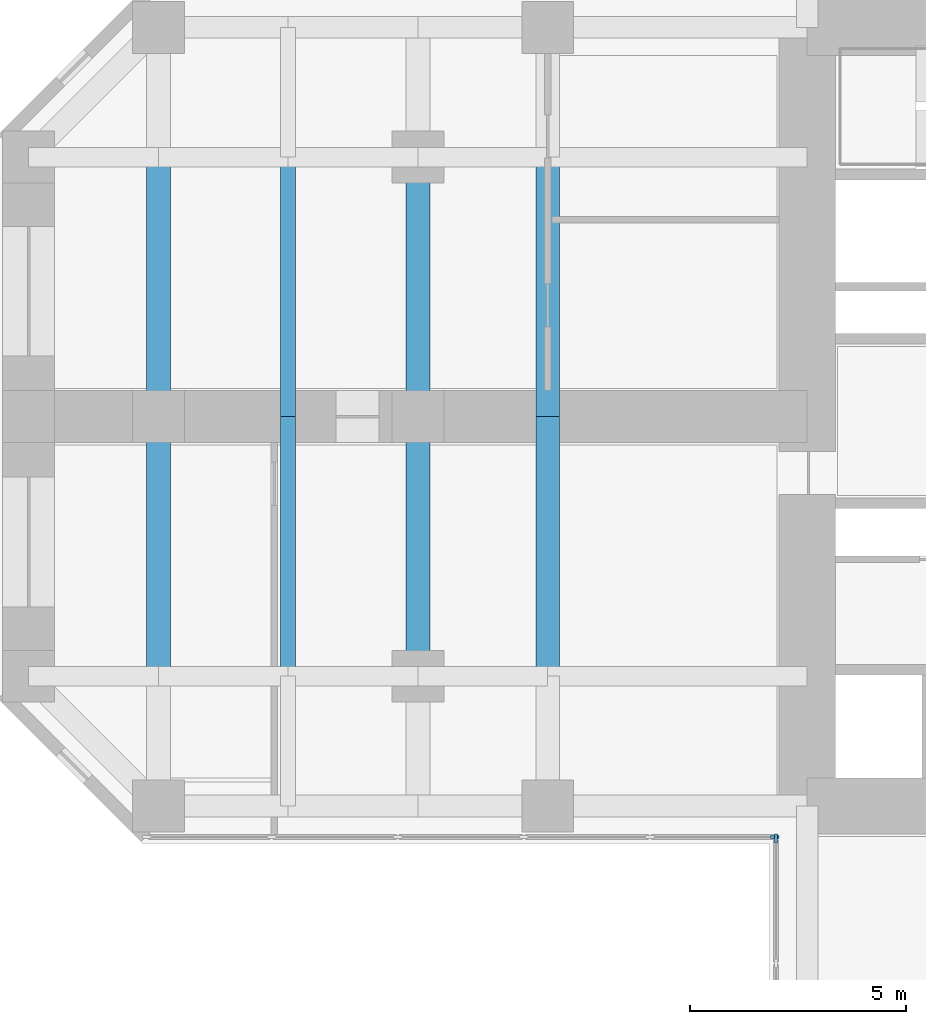
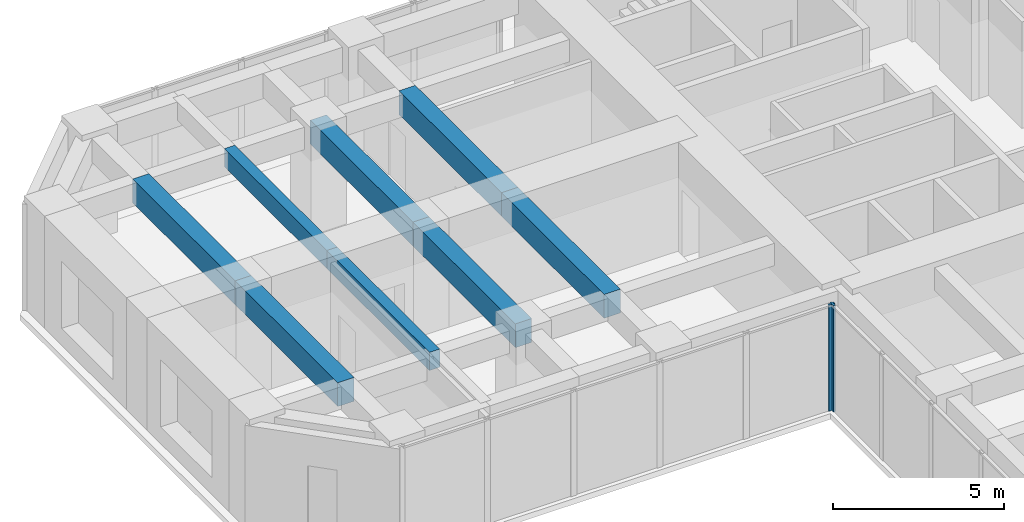
# One storey, part 3 of 12: 8 beams, 2 members, 2 elements without a shape of their own.
"""IFC4 building model written with IfcOpenShell, lengths in metres."""

from ifc_helpers import new_model, si_unit, direction, frame, origin, origin_2d, place, context, subcontext, project, spatial, rectangle, extrude, material, material_profile, profile_set, type_object, element, aggregate, save


model = new_model("IFC4")

# Units and contexts
model_context = context("Model", 3, precision=1e-05, world=origin(), true_north=direction((0.0, 1.0)))
body_context = subcontext(model_context, "Body", "Model", "MODEL_VIEW")
ifc_project = project(units=[si_unit("LENGTHUNIT", "METRE"), si_unit("AREAUNIT", "SQUARE_METRE"), si_unit("VOLUMEUNIT", "CUBIC_METRE"), si_unit("PLANEANGLEUNIT", "RADIAN"), si_unit("MASSUNIT", "GRAM", prefix="KILO")], contexts=[model_context])

# Site, building, storey
site_placement = place(None, origin())
site = spatial("IfcSite", under=ifc_project, at=site_placement, CompositionType="ELEMENT")
building_placement = place(site_placement, origin())
building = spatial("IfcBuilding", under=site, at=building_placement, Name="Torre Cruceta", CompositionType="ELEMENT")
storey_placement = place(building_placement, frame((0.0, 0.0, 63.5)))
storey = spatial("IfcBuildingStorey", under=building, at=storey_placement, Name="L15", CompositionType="ELEMENT", Elevation=63.5)

# Beams
ifc_material_1 = material(Name="Concrete G60 (fck 60 MPa)", Category="concrete")
ifc_material_profile_1 = material_profile(ifc_material_1, rectangle(XDim=0.550048828125, YDim=0.85009765625, at=origin_2d()), Name="RC 550X850")
ifc_profile_set_1 = profile_set([ifc_material_profile_1], Name="Concrete G60 (fck 60 MPa)")
beam_type_1 = type_object("IfcBeamType", Name="CROSS BEAM RC 550X850", PredefinedType="BEAM", material=ifc_profile_set_1)
for number, where, z_axis, x_axis, name in (
    (1, (-15.0, 6.0, 3.375), (0.0, -1.0, 0.0), (1.0, 0.0, 0.0), "GB4 L15 W cross15 2"),
    (2, (-15.0, 0.0, 3.375), (0.0, -1.0, 0.0), (1.0, 0.0, 0.0), "GB4 L15 W cross15 3"),
    (3, (-18.0, 6.0, 3.375), (0.0, -1.0, 0.0), (1.0, 0.0, 0.0), "GB4 L15 W cross18 2"),
    (4, (-18.0, 0.0, 3.375), (0.0, -1.0, 0.0), (1.0, 0.0, 0.0), "GB4 L15 W cross18 3"),
    (5, (-24.0, 6.0, 3.375), (0.0, -1.0, 0.0), (1.0, 0.0, 0.0), "GB4 L15 W cross24 2"),
    (6, (-24.0, 0.0, 3.375), (0.0, -1.0, 0.0), (1.0, 0.0, 0.0), "GB4 L15 W cross24 3"),
):
    element("IfcBeam", number, at=place(storey_placement, frame(where, z_axis=z_axis, x_axis=x_axis)), inside=storey, type_object=beam_type_1, Name=name, PredefinedType="BEAM", context=body_context, shape_type="SweptSolid", body=[
        extrude(rectangle(XDim=0.550048828125, YDim=0.85009765625, at=origin_2d()), origin(), (0.0, 0.0, 1.0), 6.0),
    ])

# Curtain wall, member
ifc_material_2 = material(Name="Aluminium unitised curtain wall", Category="aluminium")
curtain_wall_type = type_object("IfcCurtainWallType", Name="CURTAIN WALL CW-A OFFICE LOW RISE", PredefinedType="USERDEFINED", material=ifc_material_2)
curtain_wall_1_placement = place(storey_placement, origin())
curtain_wall_1 = element("IfcCurtainWall", 7, at=curtain_wall_1_placement, inside=storey, type_object=curtain_wall_type, Name="CW-A L15 W side 14", ObjectType="UNITISED", PredefinedType="USERDEFINED")
ifc_material_3 = material(Name="Aluminium mullion", Category="aluminium")
ifc_material_profile_2 = material_profile(ifc_material_3, rectangle(XDim=0.06494140625, YDim=0.199951171875, at=origin_2d()), Name="AL 65X200")
ifc_profile_set_2 = profile_set([ifc_material_profile_2], Name="Aluminium mullion")
member_type = type_object("IfcMemberType", Name="CW-A MULLION 65X200", PredefinedType="MULLION", material=ifc_profile_set_2)
member_1_placement = place(storey_placement, frame((-9.75244140625, -9.719970703125, 0.0), z_axis=(0.0, 0.0, 1.0), x_axis=(0.0, 1.0, 0.0)))
member_1 = element("IfcMember", 8, at=member_1_placement, type_object=member_type, Name="CW-A mullion 6", PredefinedType="MULLION", context=body_context, shape_type="SweptSolid", body=[
    extrude(rectangle(XDim=0.06494140625, YDim=0.199951171875, at=origin_2d()), origin(), (0.0, 0.0, 1.0), 3.800048828125),
])
aggregate(curtain_wall_1, [member_1])

curtain_wall_2_placement = place(storey_placement, origin())
curtain_wall_2 = element("IfcCurtainWall", 9, at=curtain_wall_2_placement, inside=storey, type_object=curtain_wall_type, Name="CW-A L15 S side 15", ObjectType="UNITISED", PredefinedType="USERDEFINED")
member_2_placement = place(storey_placement, frame((-9.719970703125, -9.75244140625, 0.0), z_axis=(0.0, 0.0, 1.0), x_axis=(1.0, 0.0, 0.0)))
member_2 = element("IfcMember", 10, at=member_2_placement, type_object=member_type, Name="CW-A mullion 1", PredefinedType="MULLION", context=body_context, shape_type="SweptSolid", body=[
    extrude(rectangle(XDim=0.06494140625, YDim=0.199951171875, at=origin_2d()), origin(), (0.0, 0.0, 1.0), 3.800048828125),
])
aggregate(curtain_wall_2, [member_2])

# Beams
ifc_material_4 = material(Name="Concrete G60 (fck 60 MPa)", Category="concrete")
ifc_material_profile_3 = material_profile(ifc_material_4, rectangle(XDim=0.35009765625, YDim=0.64990234375, at=origin_2d()), Name="RC 350X650")
ifc_profile_set_3 = profile_set([ifc_material_profile_3], Name="Concrete G60 (fck 60 MPa)")
beam_type_2 = type_object("IfcBeamType", Name="SECONDARY BEAM RC 350X650", PredefinedType="JOIST", material=ifc_profile_set_3)
for number, where, z_axis, x_axis, name in (
    (11, (-21.0, 6.0, 3.47509765625), (0.0, -1.0, 0.0), (1.0, 0.0, 0.0), "JB3 L15 W sec21 2"),
    (12, (-21.0, 0.0, 3.47509765625), (0.0, -1.0, 0.0), (1.0, 0.0, 0.0), "JB3 L15 W sec21 3"),
):
    element("IfcBeam", number, at=place(storey_placement, frame(where, z_axis=z_axis, x_axis=x_axis)), inside=storey, type_object=beam_type_2, Name=name, PredefinedType="JOIST", context=body_context, shape_type="SweptSolid", body=[
        extrude(rectangle(XDim=0.35009765625, YDim=0.64990234375, at=origin_2d()), origin(), (0.0, 0.0, 1.0), 6.0),
    ])

save(model, "model.ifc")
